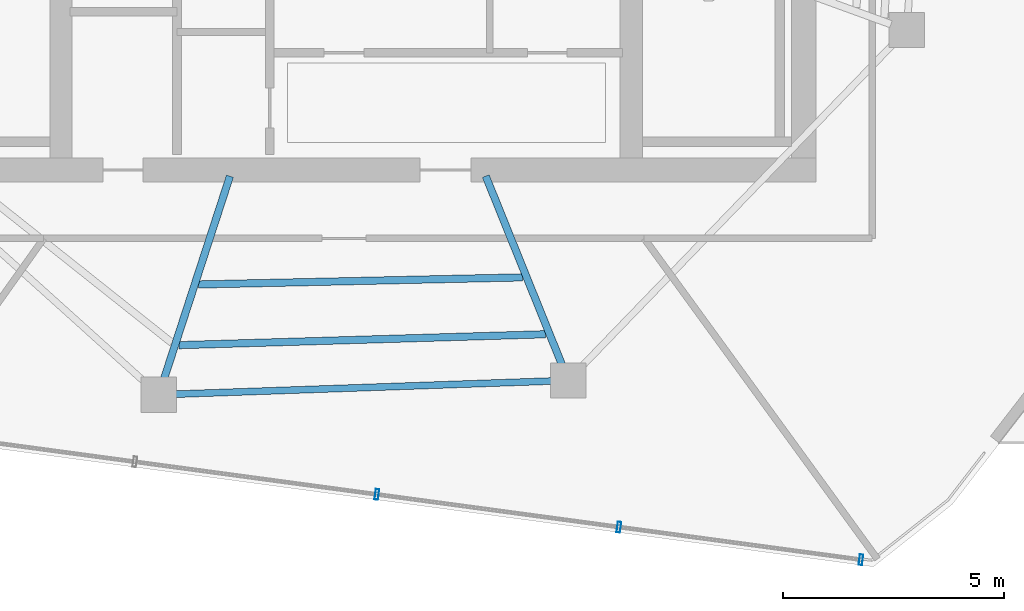
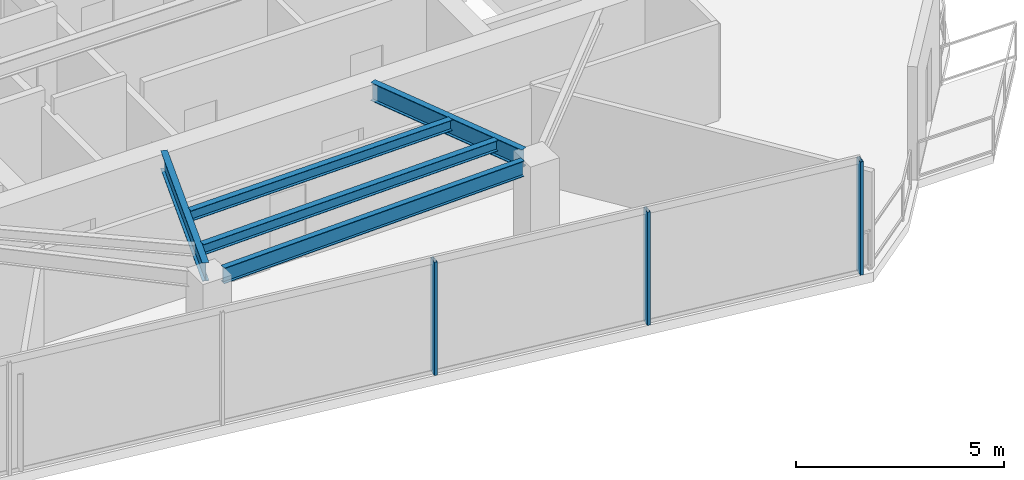
# One storey, part 4 of 19: 5 beams, 3 members, 1 element without a shape of its own.
"""IFC4 building model written with IfcOpenShell, lengths in metres."""

from ifc_helpers import new_model, si_unit, direction, frame, origin, origin_2d, place, context, subcontext, project, spatial, hollow_rectangle, i_section, extrude, material, layer, layer_set, material_profile, profile_set, type_object, element, aggregate, save


model = new_model("IFC4")

# Units and contexts
model_context = context("Model", 3, precision=1e-05, world=origin(), true_north=direction((0.0, 1.0)))
body_context = subcontext(model_context, "Body", "Model", "MODEL_VIEW")
ifc_project = project(units=[si_unit("LENGTHUNIT", "METRE"), si_unit("AREAUNIT", "SQUARE_METRE"), si_unit("VOLUMEUNIT", "CUBIC_METRE"), si_unit("PLANEANGLEUNIT", "RADIAN"), si_unit("MASSUNIT", "GRAM", prefix="KILO")], contexts=[model_context])

# Site, building, storey
site_placement = place(None, origin())
site = spatial("IfcSite", under=ifc_project, at=site_placement, CompositionType="ELEMENT")
building_placement = place(site_placement, origin())
building = spatial("IfcBuilding", under=site, at=building_placement, Name="Qarnah Convention Tower", CompositionType="ELEMENT")
storey_placement = place(building_placement, frame((0.0, 0.0, 264.300048828125)))
storey = spatial("IfcBuildingStorey", under=building, at=storey_placement, Name="L71", CompositionType="ELEMENT", Elevation=264.300048828125)

# Beams
ifc_material_1 = material(Name="Structural steel S355JR", Category="steel")
ifc_material_profile_1 = material_profile(ifc_material_1, i_section(OverallWidth=0.166015625, OverallDepth=0.31201171875, WebThickness=0.007080078125, FlangeThickness=0.010986328125, at=origin_2d()), Name="W310X45")
ifc_profile_set_1 = profile_set([ifc_material_profile_1], Name="Structural steel S355JR")
beam_type_1 = type_object("IfcBeamType", Name="BM-JST-W310", PredefinedType="JOIST", material=ifc_profile_set_1)
beam_1_placement = place(storey_placement, frame((33.467041015625, 14.635009765625, 3.1640625), z_axis=(0.99955680435, 0.029769025486, 0.0), x_axis=(-0.029769025486, 0.99955680435, 0.0)))
element("IfcBeam", 1, at=beam_1_placement, inside=storey, type_object=beam_type_1, Name="L71 joist BM-L71-SJST-07", PredefinedType="JOIST", context=body_context, shape_type="SweptSolid", body=[
    extrude(i_section(OverallWidth=0.166015625, OverallDepth=0.31201171875, WebThickness=0.007080078125, FlangeThickness=0.010986328125, at=origin_2d()), origin(), (0.0, 0.0, 1.0), 8.299560546875),
])
beam_2_placement = place(storey_placement, frame((33.9130859375, 16.008056640625, 3.1640625), z_axis=(0.999759189308, 0.021944552701, 0.0), x_axis=(-0.021944552701, 0.999759189308, 0.0)))
element("IfcBeam", 2, at=beam_2_placement, inside=storey, type_object=beam_type_1, Name="L71 joist BM-L71-IJST-07", PredefinedType="JOIST", context=body_context, shape_type="SweptSolid", body=[
    extrude(i_section(OverallWidth=0.166015625, OverallDepth=0.31201171875, WebThickness=0.007080078125, FlangeThickness=0.010986328125, at=origin_2d()), origin(), (0.0, 0.0, 1.0), 7.33154296875),
])
ifc_material_profile_2 = material_profile(ifc_material_1, i_section(OverallWidth=0.166015625, OverallDepth=0.535888671875, WebThickness=0.010009765625, FlangeThickness=0.01708984375, at=origin_2d()), Name="W530X85")
ifc_profile_set_2 = profile_set([ifc_material_profile_2], Name="Structural steel S355JR")
beam_type_2 = type_object("IfcBeamType", Name="BM-RAD-W530B", PredefinedType="BEAM", material=ifc_profile_set_2)
beam_3_placement = place(storey_placement, frame((34.6201171875, 18.45703125, 3.052001953125), z_axis=(-0.309228111383, -0.950987894313, 0.0), x_axis=(0.950987894313, -0.309228111383, 0.0)))
element("IfcBeam", 3, at=beam_3_placement, inside=storey, type_object=beam_type_2, Name="L71 beam BM-L71-RAD-07", PredefinedType="BEAM", context=body_context, shape_type="SweptSolid", body=[
    extrude(i_section(OverallWidth=0.166015625, OverallDepth=0.535888671875, WebThickness=0.010009765625, FlangeThickness=0.01708984375, at=origin_2d()), origin(), (0.0, 0.0, 1.0), 4.819091796875),
])
beam_4_placement = place(storey_placement, frame((40.407958984375, 18.4609375, 3.052001953125), z_axis=(0.374622495532, -0.927177429536, 0.0), x_axis=(0.927177429536, 0.374622495532, 0.0)))
element("IfcBeam", 4, at=beam_4_placement, inside=storey, type_object=beam_type_2, Name="L71 beam BM-L71-RAD-08", PredefinedType="BEAM", context=body_context, shape_type="SweptSolid", body=[
    extrude(i_section(OverallWidth=0.166015625, OverallDepth=0.535888671875, WebThickness=0.010009765625, FlangeThickness=0.01708984375, at=origin_2d()), origin(), (0.0, 0.0, 1.0), 4.607421875),
])
ifc_material_profile_3 = material_profile(ifc_material_1, i_section(OverallWidth=0.154052734375, OverallDepth=0.4599609375, WebThickness=0.009033203125, FlangeThickness=0.014892578125, at=origin_2d()), Name="W460X68")
ifc_profile_set_3 = profile_set([ifc_material_profile_3], Name="Structural steel S355JR")
beam_type_3 = type_object("IfcBeamType", Name="BM-SPN-W460B", PredefinedType="SPANDREL", material=ifc_profile_set_3)
beam_5_placement = place(storey_placement, frame((33.403076171875, 13.527099609375, 3.08984375), z_axis=(0.999392187652, 0.034860511467, 0.0), x_axis=(-0.034860511467, 0.999392187652, 0.0)))
element("IfcBeam", 5, at=beam_5_placement, inside=storey, type_object=beam_type_3, Name="L71 spandrel BM-L71-SPN-07", PredefinedType="SPANDREL", context=body_context, shape_type="SweptSolid", body=[
    extrude(i_section(OverallWidth=0.154052734375, OverallDepth=0.4599609375, WebThickness=0.009033203125, FlangeThickness=0.014892578125, at=origin_2d()), origin(), (0.0, 0.0, 1.0), 8.488037109375),
])

# Curtain wall, members
ifc_material_2 = material(Name="Tempered Low-E dark glass", Category="glass")
ifc_layer = layer(ifc_material_2, 0.176025390625)
ifc_layer_set = layer_set([ifc_layer], Name="Tempered Low-E dark glass")
curtain_wall_type = type_object("IfcCurtainWallType", Name="CWS-05", PredefinedType="NOTDEFINED", material=ifc_layer_set)
curtain_wall_placement = place(storey_placement, origin())
curtain_wall = element("IfcCurtainWall", 6, at=curtain_wall_placement, inside=storey, type_object=curtain_wall_type, Name="L71 unitised curtain wall CW-L71-F3", PredefinedType="NOTDEFINED")
ifc_material_3 = material(Name="Black anodised aluminium", Category="aluminium")
ifc_material_profile_4 = material_profile(ifc_material_3, hollow_rectangle(XDim=0.080078125, YDim=0.239990234375, WallThickness=0.0048828125, at=origin_2d()), Name="MUL-80X240")
ifc_profile_set_4 = profile_set([ifc_material_profile_4], Name="Black anodised aluminium")
member_type = type_object("IfcMemberType", Name="MUL-T5", PredefinedType="MULLION", material=ifc_profile_set_4)
member_1_placement = place(storey_placement, frame((48.89697265625, 9.780029296875, 0.0), z_axis=(0.0, 0.0, 1.0), x_axis=(-0.991025376797, 0.133673866348, 0.0)))
member_1 = element("IfcMember", 7, at=member_1_placement, type_object=member_type, Name="CW-L71-F3 mullion 1", PredefinedType="MULLION", context=body_context, shape_type="SweptSolid", body=[
    extrude(hollow_rectangle(XDim=0.080078125, YDim=0.239990234375, WallThickness=0.0048828125, at=origin_2d()), origin(), (0.0, 0.0, 1.0), 3.320068359375),
])
member_2_placement = place(storey_placement, frame((43.421142578125, 10.5185546875, 0.0), z_axis=(0.0, 0.0, 1.0), x_axis=(-0.991025376797, 0.133673866348, 0.0)))
member_2 = element("IfcMember", 8, at=member_2_placement, type_object=member_type, Name="CW-L71-F3 mullion 2", PredefinedType="MULLION", context=body_context, shape_type="SweptSolid", body=[
    extrude(hollow_rectangle(XDim=0.080078125, YDim=0.239990234375, WallThickness=0.0048828125, at=origin_2d()), origin(), (0.0, 0.0, 1.0), 3.320068359375),
])
member_3_placement = place(storey_placement, frame((37.9453125, 11.257080078125, 0.0), z_axis=(0.0, 0.0, 1.0), x_axis=(-0.991025376797, 0.133673866348, 0.0)))
member_3 = element("IfcMember", 9, at=member_3_placement, type_object=member_type, Name="CW-L71-F3 mullion 3", PredefinedType="MULLION", context=body_context, shape_type="SweptSolid", body=[
    extrude(hollow_rectangle(XDim=0.080078125, YDim=0.239990234375, WallThickness=0.0048828125, at=origin_2d()), origin(), (0.0, 0.0, 1.0), 3.320068359375),
])
aggregate(curtain_wall, [member_1, member_2, member_3])

save(model, "model.ifc")
